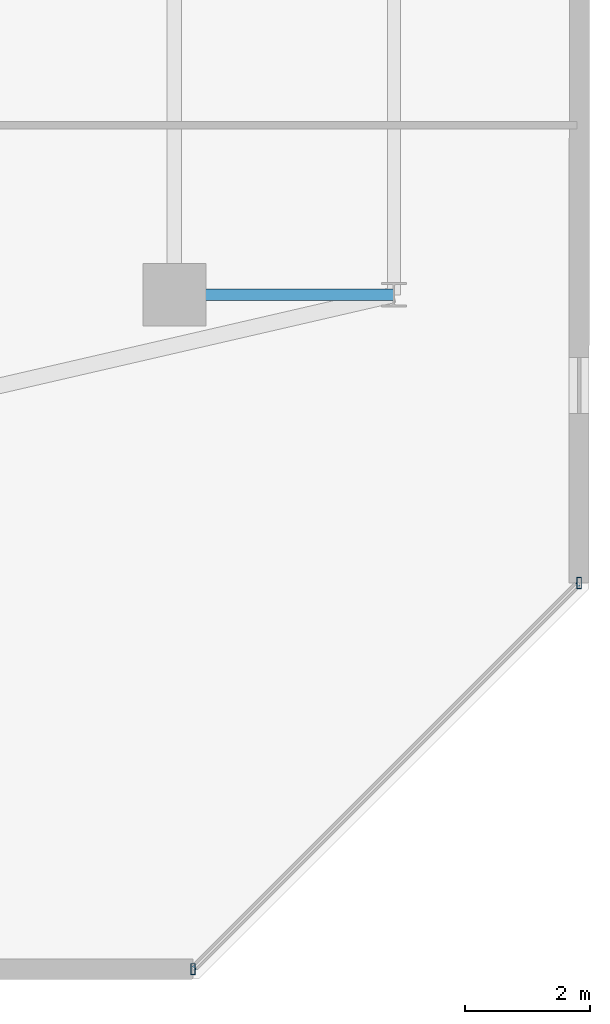
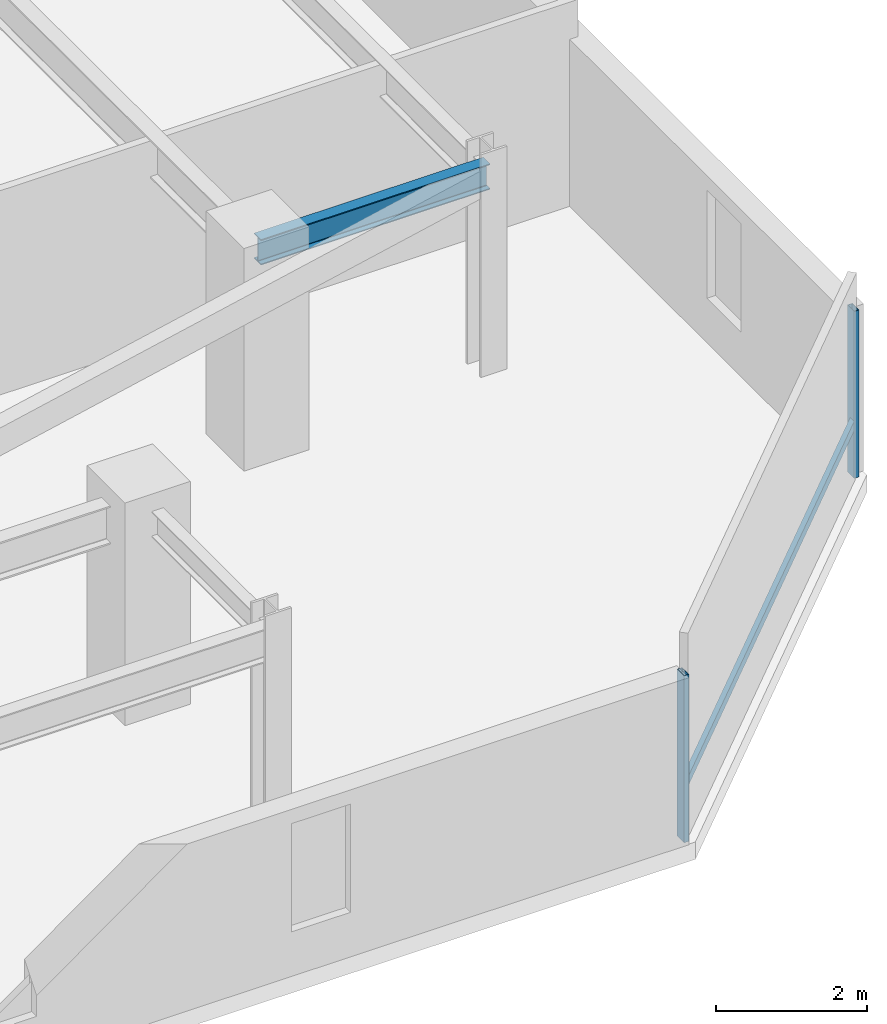
# One storey, part 12 of 29: 3 members, 1 beam, 1 element without a shape of its own.
"""IFC4 building model written with IfcOpenShell, lengths in metres."""

import ifcopenshell
import ifcopenshell.guid

model = None  # the IFC model being written
_history = None  # IfcOwnerHistory: only IFC2X3 demands one
_inside = {}  # id of a spatial element -> (the spatial element, [elements in it])
_under = {}  # id of a project, library or spatial element -> (it, [spatial elements below it])
_declared = {}  # id of a project -> (the project, [libraries it declares])
_typed = {}  # id of a type object -> (the type object, [elements of that type])
_made_of = {}  # id of a material, layer set ... -> (it, [elements and type objects made of it])


def new_model(schema):
    """Start an empty IFC model of exactly this schema.

    Asked for "IFC4X3", IfcOpenShell would pick the latest addendum, in which some entities
    have other attributes; the version numbers below select the first issue.
    IFC2X3 requires an IfcOwnerHistory on every rooted entity: one is made here for all.
    """
    global model, _history
    if schema == "IFC4X3":
        model = ifcopenshell.file(schema_version=(4, 3, 0, 0))
    else:
        model = ifcopenshell.file(schema=schema)
    _inside.clear()
    _under.clear()
    _declared.clear()
    _typed.clear()
    _made_of.clear()
    _history = None
    if model.schema == "IFC2X3":
        org = make("IfcOrganization", Name="unknown")
        user = make(
            "IfcPersonAndOrganization",
            ThePerson=make("IfcPerson", FamilyName="unknown"),
            TheOrganization=org,
        )
        app = make(
            "IfcApplication",
            ApplicationDeveloper=org,
            Version="unknown",
            ApplicationFullName="unknown",
            ApplicationIdentifier="unknown",
        )
        _history = make(
            "IfcOwnerHistory",
            OwningUser=user,
            OwningApplication=app,
            ChangeAction="ADDED",
            CreationDate=0,
        )
    return model


def make(cls, **values):
    """One entity of the class cls with the attributes given. An attribute that is None is left unset."""
    return model.create_entity(
        cls, **{name: value for name, value in values.items() if value is not None}
    )


def rooted(cls, **values):
    """An entity with a GlobalId (a new one), such as an element, a storey or a relation."""
    return make(cls, GlobalId=ifcopenshell.guid.new(), OwnerHistory=_history, **values)


def si_unit(unit_type, name, prefix=None):
    """IfcSIUnit, for example si_unit("LENGTHUNIT", "METRE", prefix="MILLI")."""
    return make("IfcSIUnit", UnitType=unit_type, Prefix=prefix, Name=name)


def assignment(units):
    """IfcUnitAssignment: the units of a project."""
    return None if units is None else make("IfcUnitAssignment", Units=units)


def point(xyz):
    """IfcCartesianPoint."""
    return None if xyz is None else make("IfcCartesianPoint", Coordinates=xyz)


def direction(xyz):
    """IfcDirection."""
    return None if xyz is None else make("IfcDirection", DirectionRatios=xyz)


def frame(location, z_axis=None, x_axis=None):
    """IfcAxis2Placement3D, a coordinate frame: its origin and axes. An axis left out is left unset."""
    return make(
        "IfcAxis2Placement3D",
        Location=point(location),
        Axis=direction(z_axis),
        RefDirection=direction(x_axis),
    )


def frame_2d(location, x_axis=None):
    """IfcAxis2Placement2D, a coordinate frame in the plane: its origin and x axis."""
    return make(
        "IfcAxis2Placement2D", Location=point(location), RefDirection=direction(x_axis)
    )


def origin():
    """The frame at (0, 0, 0) with its axes left unset."""
    return frame((0.0, 0.0, 0.0))


def origin_2d():
    """The frame at (0, 0) in the plane with its x axis left unset."""
    return frame_2d((0.0, 0.0))


def place(relative_to, where):
    """IfcLocalPlacement: puts the frame where relative to a parent placement (None: the world)."""
    return make(
        "IfcLocalPlacement", PlacementRelTo=relative_to, RelativePlacement=where
    )


def context(
    kind, dimensions, precision=None, world=None, true_north=None, identifier=None
):
    """IfcGeometricRepresentationContext, for example the 3D "Model" context."""
    return make(
        "IfcGeometricRepresentationContext",
        ContextIdentifier=identifier,
        ContextType=kind,
        CoordinateSpaceDimension=dimensions,
        Precision=precision,
        WorldCoordinateSystem=world,
        TrueNorth=true_north,
    )


def subcontext(parent, identifier, kind, view, scale=None):
    """IfcGeometricRepresentationSubContext, for example "Body" below "Model"."""
    return make(
        "IfcGeometricRepresentationSubContext",
        ContextIdentifier=identifier,
        ContextType=kind,
        ParentContext=parent,
        TargetScale=scale,
        TargetView=view,
    )


def project(units=None, contexts=None):
    """IfcProject with its units and contexts."""
    return rooted(
        "IfcProject",
        Name="project",
        RepresentationContexts=contexts,
        UnitsInContext=assignment(units),
    )


def spatial(cls, under=None, at=None, **own):
    """A site, building, storey or space (cls), placed at a placement, below another one or the project."""
    s = rooted(cls, ObjectPlacement=at, **own)
    if under is not None:
        _under.setdefault(under.id(), (under, []))[1].append(s)
    return s


def profile(cls, at=None, kind="AREA", **sizes):
    """A parametric profile (cls). Its sizes go by their IFC names, for example OverallWidth=200.0."""
    return make(cls, ProfileType=kind, Position=at, **sizes)


def hollow_rectangle(**sizes):
    """IfcRectangleHollowProfileDef."""
    return profile("IfcRectangleHollowProfileDef", **sizes)


def i_section(**sizes):
    """IfcIShapeProfileDef."""
    return profile("IfcIShapeProfileDef", **sizes)


def extrude(swept, where, along, depth):
    """IfcExtrudedAreaSolid: the profile swept, set in the frame where, extruded along a direction by depth."""
    return make(
        "IfcExtrudedAreaSolid",
        SweptArea=swept,
        Position=where,
        ExtrudedDirection=direction(along),
        Depth=depth,
    )


def shape(context_of_items, identifier, shape_type, items):
    """IfcShapeRepresentation: the items that make up one representation, for example the "Body"."""
    return make(
        "IfcShapeRepresentation",
        ContextOfItems=context_of_items,
        RepresentationIdentifier=identifier,
        RepresentationType=shape_type,
        Items=items,
    )


def material(Name=None, Category=None):
    """IfcMaterial."""
    return make("IfcMaterial", Name=Name, Category=Category)


def material_profile(
    of_material, cross_section, Name=None, Category=None, Priority=None
):
    """IfcMaterialProfile: a cross section and its material."""
    return make(
        "IfcMaterialProfile",
        Name=Name,
        Material=of_material,
        Profile=cross_section,
        Priority=Priority,
        Category=Category,
    )


def profile_set(profiles, Name=None, composite=None):
    """IfcMaterialProfileSet."""
    return make(
        "IfcMaterialProfileSet",
        Name=Name,
        MaterialProfiles=profiles,
        CompositeProfile=composite,
    )


def made_of(thing, what):
    """Note that an element or type object is made of a material, layer set ...; save() writes the relation."""
    if what is not None:
        _made_of.setdefault(what.id(), (what, []))[1].append(thing)
    return thing


def type_object(cls, material=None, **own):
    """A type object (cls), such as IfcWallType, which elements share."""
    return made_of(rooted(cls, **own), material)


def element(
    cls,
    number,
    at=None,
    inside=None,
    cuts=None,
    type_object=None,
    material=None,
    context=None,
    identifier="Body",
    shape_type=None,
    held_by="IfcProductDefinitionShape",
    body=None,
    shapes=None,
    **own,
):
    """One element of the class cls, such as IfcWall. Its Tag is "e" and its number.

    at: its placement. inside: the storey or other place that contains it. cuts: it is an
    opening in that element (IfcRelVoidsElement). A single representation is given by context,
    identifier, shape_type and body (its items); several are given by shapes. held_by: the class
    of the entity that holds the representations. save() writes the other relations.
    """
    e = rooted(cls, Tag="e%d" % number, ObjectPlacement=at, **own)
    if body is not None:
        shapes = [shape(context, identifier, shape_type, body)]
    if shapes is not None:
        e.Representation = make(held_by, Representations=shapes)
    if inside is not None:
        _inside.setdefault(inside.id(), (inside, []))[1].append(e)
    if cuts is not None:
        rooted(
            "IfcRelVoidsElement", RelatingBuildingElement=cuts, RelatedOpeningElement=e
        )
    if type_object is not None:
        _typed.setdefault(type_object.id(), (type_object, []))[1].append(e)
    return made_of(e, material)


def aggregate(whole, parts):
    """IfcRelAggregates: a whole, such as a stair, and the parts it consists of."""
    return rooted("IfcRelAggregates", RelatingObject=whole, RelatedObjects=parts)


def save(model, path):
    """Write the relations noted so far, then the file.

    IfcRelAggregates (storeys below a building ...), IfcRelContainedInSpatialStructure (elements
    in a storey), IfcRelDefinesByType, IfcRelAssociatesMaterial and IfcRelDeclares: one each for
    every whole, place, type object, material and project.
    """
    for whole, parts in _under.values():
        aggregate(whole, parts)
    for where, things in _inside.values():
        rooted(
            "IfcRelContainedInSpatialStructure",
            RelatedElements=things,
            RelatingStructure=where,
        )
    for kind, things in _typed.values():
        rooted("IfcRelDefinesByType", RelatedObjects=things, RelatingType=kind)
    for what, things in _made_of.values():
        rooted("IfcRelAssociatesMaterial", RelatedObjects=things, RelatingMaterial=what)
    for by, libraries in _declared.values():
        rooted("IfcRelDeclares", RelatingContext=by, RelatedDefinitions=libraries)
    model.write(path)


model = new_model("IFC4")

# Units and contexts
model_context = context("Model", 3, precision=1e-05, world=origin(), true_north=direction((0.0, 1.0)))
body_context = subcontext(model_context, "Body", "Model", "MODEL_VIEW")
ifc_project = project(units=[si_unit("LENGTHUNIT", "METRE"), si_unit("AREAUNIT", "SQUARE_METRE"), si_unit("VOLUMEUNIT", "CUBIC_METRE"), si_unit("PLANEANGLEUNIT", "RADIAN"), si_unit("MASSUNIT", "GRAM", prefix="KILO")], contexts=[model_context])

# Site, building, storey
site_placement = place(None, origin())
site = spatial("IfcSite", under=ifc_project, at=site_placement, CompositionType="ELEMENT")
building_placement = place(site_placement, origin())
building = spatial("IfcBuilding", under=site, at=building_placement, Name="Thornwick Lancets Civic Towers", CompositionType="ELEMENT")
storey_placement = place(building_placement, frame((0.0, 0.0, 229.5)))
storey = spatial("IfcBuildingStorey", under=building, at=storey_placement, Name="L61", CompositionType="ELEMENT", Elevation=229.5)

# Beam
ifc_material_1 = material(Name="Steel S355JR", Category="steel")
ifc_material_profile_1 = material_profile(ifc_material_1, i_section(OverallWidth=0.179443359375, OverallDepth=0.412841796875, WebThickness=0.009521484375, FlangeThickness=0.01611328125, FilletRadius=0.01025390625, at=origin_2d()), Name="UKB 406x178x74")
ifc_profile_set_1 = profile_set([ifc_material_profile_1], Name="Steel S355JR")
beam_type = type_object("IfcBeamType", Name="BM_JOIST_406_74", PredefinedType="JOIST", material=ifc_profile_set_1)
beam_placement = place(storey_placement, frame((105.800048828125, 14.0, 3.113525390625), z_axis=(1.0, 0.0, 0.0), x_axis=(0.0, 1.0, 0.0)))
element("IfcBeam", 1, at=beam_placement, inside=storey, type_object=beam_type, Name="BM-RAD-L61-B01", PredefinedType="JOIST", context=body_context, shape_type="SweptSolid", body=[
    extrude(i_section(OverallWidth=0.179443359375, OverallDepth=0.412841796875, WebThickness=0.009521484375, FlangeThickness=0.01611328125, FilletRadius=0.01025390625, at=origin_2d()), origin(), (0.0, 0.0, 1.0), 3.5),
])

# Curtain wall, members
ifc_material_2 = material(Name="High-zone chamfered-corner unitised glass curtain wall", Category="glass")
curtain_wall_type = type_object("IfcCurtainWallType", Name="CW_SYS_05", PredefinedType="NOTDEFINED", material=ifc_material_2)
curtain_wall_placement = place(storey_placement, origin())
curtain_wall = element("IfcCurtainWall", 2, at=curtain_wall_placement, inside=storey, type_object=curtain_wall_type, Name="L61 Curtain Wall CW-L61-B-E1", PredefinedType="NOTDEFINED")
ifc_material_3 = material(Name="Thermally broken bronze aluminium S355", Category="steel")
ifc_material_profile_2 = material_profile(ifc_material_3, hollow_rectangle(XDim=0.074951171875, YDim=0.179931640625, WallThickness=0.006103515625, at=origin_2d()), Name="RHS 180x75x6")
ifc_profile_set_2 = profile_set([ifc_material_profile_2], Name="Thermally broken bronze aluminium S355")
member_type_1 = type_object("IfcMemberType", Name="CW_MUL_180", PredefinedType="MULLION", material=ifc_profile_set_2)
member_1_placement = place(storey_placement, frame((106.096435546875, 3.247314453125, 0.0), z_axis=(0.0, 0.0, 1.0), x_axis=(1.0, 0.0, 0.0)))
member_1 = element("IfcMember", 3, at=member_1_placement, type_object=member_type_1, Name="CW-L61-B-E1 Mullion 0", PredefinedType="MULLION", context=body_context, shape_type="SweptSolid", body=[
    extrude(hollow_rectangle(XDim=0.074951171875, YDim=0.179931640625, WallThickness=0.006103515625, at=origin_2d()), origin(), (0.0, 0.0, 1.0), 2.699951171875),
])
member_2_placement = place(storey_placement, frame((112.252685546875, 9.403564453125, 0.0), z_axis=(0.0, 0.0, 1.0), x_axis=(1.0, 0.0, 0.0)))
member_2 = element("IfcMember", 4, at=member_2_placement, type_object=member_type_1, Name="CW-L61-B-E1 Mullion 1", PredefinedType="MULLION", context=body_context, shape_type="SweptSolid", body=[
    extrude(hollow_rectangle(XDim=0.074951171875, YDim=0.179931640625, WallThickness=0.006103515625, at=origin_2d()), origin(), (0.0, 0.0, 1.0), 2.699951171875),
])
ifc_material_profile_3 = material_profile(ifc_material_3, hollow_rectangle(XDim=0.074951171875, YDim=0.14990234375, WallThickness=0.0048828125, at=origin_2d()), Name="RHS 150x75x5")
ifc_profile_set_3 = profile_set([ifc_material_profile_3], Name="Thermally broken bronze aluminium S355")
member_type_2 = type_object("IfcMemberType", Name="CW_TRN_150", PredefinedType="USERDEFINED", material=ifc_profile_set_3)
member_3_placement = place(storey_placement, frame((106.110595703125, 3.26123046875, 0.85009765625), z_axis=(0.707106781187, 0.707106781187, 0.0), x_axis=(-0.707106781187, 0.707106781187, 0.0)))
member_3 = element("IfcMember", 5, at=member_3_placement, type_object=member_type_2, Name="CW-L61-B-E1 Transom 0", ObjectType="TRANSOM", PredefinedType="USERDEFINED", context=body_context, shape_type="SweptSolid", body=[
    extrude(hollow_rectangle(XDim=0.074951171875, YDim=0.14990234375, WallThickness=0.0048828125, at=origin_2d()), origin(), (0.0, 0.0, 1.0), 8.66650390625),
])
aggregate(curtain_wall, [member_1, member_2, member_3])

save(model, "model.ifc")
